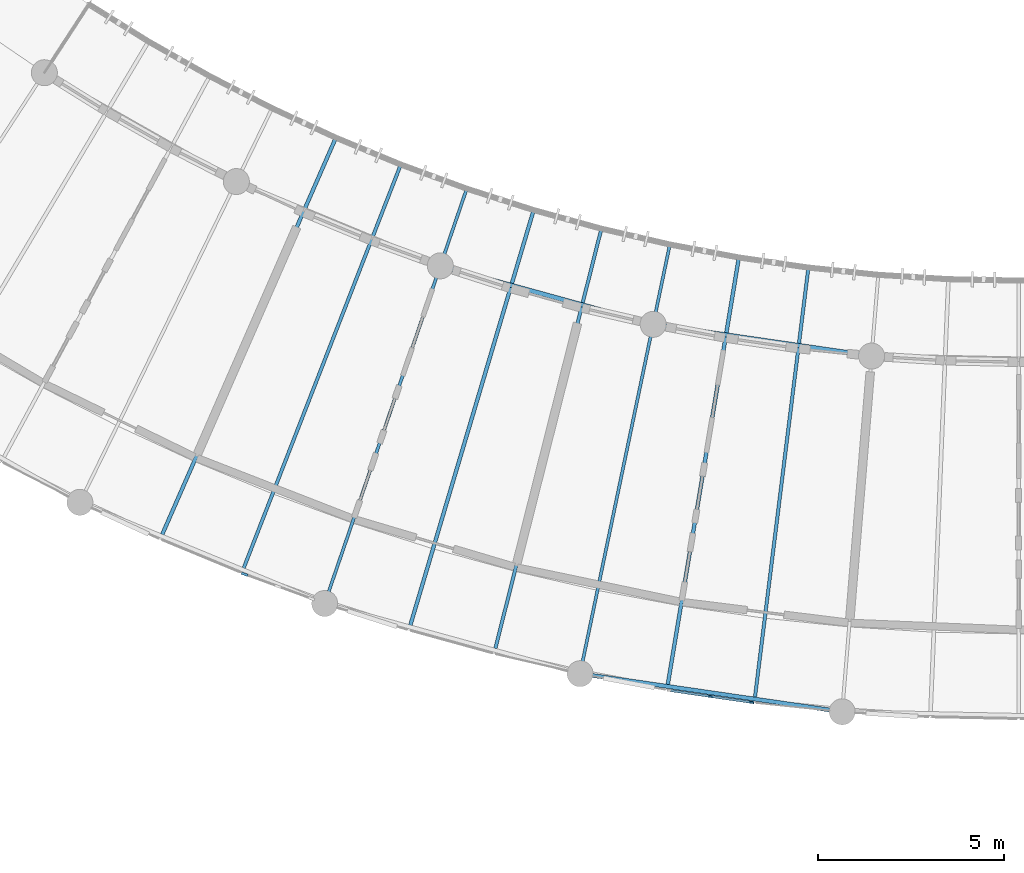
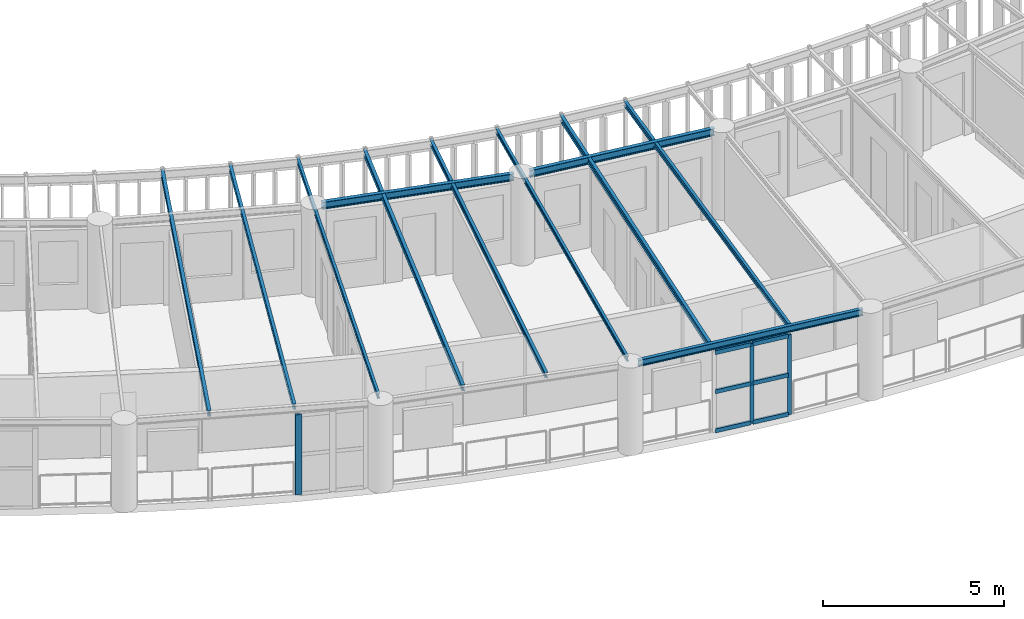
# One storey, part 4 of 100: 11 beams, 9 members, 2 elements without a shape of their own.
"""IFC4 building model written with IfcOpenShell, lengths in metres."""

from ifc_helpers import new_model, si_unit, direction, frame, origin, origin_2d, place, context, subcontext, project, spatial, rectangle, i_section, extrude, material, layer, layer_set, material_profile, profile_set, type_object, element, aggregate, save


model = new_model("IFC4")

# Units and contexts
model_context = context("Model", 3, precision=1e-05, world=origin(), true_north=direction((0.0, 1.0)))
body_context = subcontext(model_context, "Body", "Model", "MODEL_VIEW")
ifc_project = project(units=[si_unit("LENGTHUNIT", "METRE"), si_unit("AREAUNIT", "SQUARE_METRE"), si_unit("VOLUMEUNIT", "CUBIC_METRE"), si_unit("PLANEANGLEUNIT", "RADIAN"), si_unit("MASSUNIT", "GRAM", prefix="KILO"), si_unit("POWERUNIT", "WATT"), si_unit("THERMODYNAMICTEMPERATUREUNIT", "KELVIN")], contexts=[model_context])

# Site, building, storey
site_placement = place(None, origin())
site = spatial("IfcSite", under=ifc_project, at=site_placement, CompositionType="ELEMENT")
building_placement = place(site_placement, origin())
building = spatial("IfcBuilding", under=site, at=building_placement, Name="Ruvembo Vaulted Housing Court", CompositionType="ELEMENT")
storey_placement = place(building_placement, frame((0.0, 0.0, 10.89990234375)))
storey = spatial("IfcBuildingStorey", under=building, at=storey_placement, Name="L03", CompositionType="ELEMENT", Elevation=10.89990234375)

# Beams
ifc_material_1 = material(Name="Steel S355J2", Category="steel")
ifc_material_profile_1 = material_profile(ifc_material_1, i_section(OverallWidth=0.08203125, OverallDepth=0.159912109375, WebThickness=0.0048828125, FlangeThickness=0.00732421875, FilletRadius=0.009033203125, at=origin_2d()), Name="IPE 160")
ifc_profile_set_1 = profile_set([ifc_material_profile_1], Name="Steel S355J2")
beam_type_1 = type_object("IfcBeamType", Name="BM-ST-IPE160", PredefinedType="JOIST", material=ifc_profile_set_1)
for number, where, z_axis, x_axis, name in (
    (1, (50.408203125, 7.72607421875, 2.860107421875), (0.324071094468, 0.946032729735, 0.0), (-0.946032729735, 0.324071094468, 0.0), "Scoop SC2 L03 Radial Steel Joist 6"),
    (2, (57.250244140625, 5.84619140625, 2.860107421875), (0.204819113589, 0.978799842005, 0.0), (-0.978799842005, 0.204819113589, 0.0), "Scoop SC2 L03 Radial Steel Joist 9"),
):
    element("IfcBeam", number, at=place(storey_placement, frame(where, z_axis=z_axis, x_axis=x_axis)), inside=storey, type_object=beam_type_1, Name=name, PredefinedType="JOIST", context=body_context, shape_type="SweptSolid", body=[
        extrude(i_section(OverallWidth=0.08203125, OverallDepth=0.159912109375, WebThickness=0.0048828125, FlangeThickness=0.00732421875, FilletRadius=0.009033203125, at=origin_2d()), origin(), (0.0, 0.0, 1.0), 11.60986328125),
    ])
ifc_material_profile_2 = material_profile(ifc_material_1, i_section(OverallWidth=0.091064453125, OverallDepth=0.179931640625, WebThickness=0.00537109375, FlangeThickness=0.008056640625, FilletRadius=0.009033203125, at=origin_2d()), Name="IPE 180")
ifc_profile_set_2 = profile_set([ifc_material_profile_2], Name="Steel S355J2")
beam_type_2 = type_object("IfcBeamType", Name="BM-ST-IPE180", PredefinedType="JOIST", material=ifc_profile_set_2)
beam_1_placement = place(storey_placement, frame((48.156005859375, 8.46240234375, 2.85009765625), z_axis=(0.362802942669, 0.931865883478, 0.0), x_axis=(-0.931865883478, 0.362802942669, 0.0)))
element("IfcBeam", 3, at=beam_1_placement, inside=storey, type_object=beam_type_2, Name="Scoop SC2 L03 Radial Steel Joist 5", PredefinedType="JOIST", context=body_context, shape_type="SweptSolid", body=[
    extrude(i_section(OverallWidth=0.091064453125, OverallDepth=0.179931640625, WebThickness=0.00537109375, FlangeThickness=0.008056640625, FilletRadius=0.009033203125, at=origin_2d()), origin(), (0.0, 0.0, 1.0), 11.692138671875),
])
beam_2_placement = place(storey_placement, frame((54.92431640625, 6.299072265625, 2.85009765625), z_axis=(0.24500130138, 0.96952274977, 0.0), x_axis=(-0.96952274977, 0.24500130138, 0.0)))
element("IfcBeam", 4, at=beam_2_placement, inside=storey, type_object=beam_type_2, Name="Scoop SC2 L03 Radial Steel Joist 8", PredefinedType="JOIST", context=body_context, shape_type="SweptSolid", body=[
    extrude(i_section(OverallWidth=0.091064453125, OverallDepth=0.179931640625, WebThickness=0.00537109375, FlangeThickness=0.008056640625, FilletRadius=0.009033203125, at=origin_2d()), origin(), (0.0, 0.0, 1.0), 11.69189453125),
])
beam_3_placement = place(storey_placement, frame((61.907958984375, 4.9873046875, 2.85009765625), z_axis=(0.123446200649, 0.992351266208, 0.0), x_axis=(-0.992351266208, 0.123446200649, 0.0)))
element("IfcBeam", 5, at=beam_3_placement, inside=storey, type_object=beam_type_2, Name="Scoop SC2 L03 Radial Steel Joist 11", PredefinedType="JOIST", context=body_context, shape_type="SweptSolid", body=[
    extrude(i_section(OverallWidth=0.091064453125, OverallDepth=0.179931640625, WebThickness=0.00537109375, FlangeThickness=0.008056640625, FilletRadius=0.009033203125, at=origin_2d()), origin(), (0.0, 0.0, 1.0), 11.692138671875),
])
ifc_material_profile_3 = material_profile(ifc_material_1, i_section(OverallWidth=0.10009765625, OverallDepth=0.199951171875, WebThickness=0.005615234375, FlangeThickness=0.008544921875, FilletRadius=0.011962890625, at=origin_2d()), Name="IPE 200")
ifc_profile_set_3 = profile_set([ifc_material_profile_3], Name="Steel S355J2")
beam_type_3 = type_object("IfcBeamType", Name="BM-ST-IPE200", PredefinedType="BEAM", material=ifc_profile_set_3)
beam_4_placement = place(storey_placement, frame((45.9658203125, 9.367919921875, 2.840087890625), z_axis=(0.400923991771, 0.916111321196, 0.0), x_axis=(-0.916111321196, 0.400923991771, 0.0)))
element("IfcBeam", 6, at=beam_4_placement, inside=storey, type_object=beam_type_3, Name="Scoop SC2 L03 Radial Steel Joist 4", PredefinedType="BEAM", context=body_context, shape_type="SweptSolid", body=[
    extrude(i_section(OverallWidth=0.10009765625, OverallDepth=0.199951171875, WebThickness=0.005615234375, FlangeThickness=0.008544921875, FilletRadius=0.011962890625, at=origin_2d()), origin(), (0.0, 0.0, 1.0), 11.691650390625),
])
for number, where, z_axis, x_axis, name in (
    (7, (52.638916015625, 6.9267578125, 2.840087890625), (0.28479137609, 0.958589522217, 0.0), (-0.958589522217, 0.28479137609, 0.0), "Scoop SC2 L03 Radial Steel Joist 7"),
    (8, (59.5625, 5.328369140625, 2.840087890625), (0.164290631564, 0.986411977006, 0.0), (-0.986411977006, 0.164290631564, 0.0), "Scoop SC2 L03 Radial Steel Joist 10"),
):
    element("IfcBeam", number, at=place(storey_placement, frame(where, z_axis=z_axis, x_axis=x_axis)), inside=storey, type_object=beam_type_3, Name=name, PredefinedType="BEAM", context=body_context, shape_type="SweptSolid", body=[
        extrude(i_section(OverallWidth=0.10009765625, OverallDepth=0.199951171875, WebThickness=0.005615234375, FlangeThickness=0.008544921875, FilletRadius=0.011962890625, at=origin_2d()), origin(), (0.0, 0.0, 1.0), 11.692138671875),
    ])
ifc_material_profile_4 = material_profile(ifc_material_1, i_section(OverallWidth=0.110107421875, OverallDepth=0.219970703125, WebThickness=0.005859375, FlangeThickness=0.00927734375, FilletRadius=0.011962890625, at=origin_2d()), Name="IPE 220")
ifc_profile_set_4 = profile_set([ifc_material_profile_4], Name="Steel S355J2")
beam_type_4 = type_object("IfcBeamType", Name="BM-ST-IPE220", PredefinedType="SPANDREL", material=ifc_profile_set_4)
beam_5_placement = place(storey_placement, frame((57.4306640625, 5.587890625, 2.83203125), z_axis=(0.98959175185, -0.143903317091, 0.0), x_axis=(0.143903317091, 0.98959175185, 0.0)))
element("IfcBeam", 9, at=beam_5_placement, inside=storey, type_object=beam_type_4, Name="Scoop SC2 L03 Chord Girder B9", PredefinedType="SPANDREL", context=body_context, shape_type="SweptSolid", body=[
    extrude(i_section(OverallWidth=0.110107421875, OverallDepth=0.219970703125, WebThickness=0.005859375, FlangeThickness=0.00927734375, FilletRadius=0.011962890625, at=origin_2d()), origin(), (0.0, 0.0, 1.0), 6.6640625),
])
ifc_material_profile_5 = material_profile(ifc_material_1, i_section(OverallWidth=0.1201171875, OverallDepth=0.239990234375, WebThickness=0.006103515625, FlangeThickness=0.009765625, FilletRadius=0.014892578125, at=origin_2d()), Name="IPE 240")
ifc_profile_set_5 = profile_set([ifc_material_profile_5], Name="Steel S355J2")
beam_type_5 = type_object("IfcBeamType", Name="BM-ST-IPE240", PredefinedType="BEAM", material=ifc_profile_set_5)
beam_6_placement = place(storey_placement, frame((53.66650390625, 16.529541015625, 2.822021484375), z_axis=(0.964256945688, -0.264968946658, 0.0), x_axis=(0.264968946658, 0.964256945688, 0.0)))
element("IfcBeam", 10, at=beam_6_placement, inside=storey, type_object=beam_type_5, Name="Scoop SC2 L03 Chord Girder F6", PredefinedType="BEAM", context=body_context, shape_type="SweptSolid", body=[
    extrude(i_section(OverallWidth=0.1201171875, OverallDepth=0.239990234375, WebThickness=0.006103515625, FlangeThickness=0.009765625, FilletRadius=0.014892578125, at=origin_2d()), origin(), (0.0, 0.0, 1.0), 5.476806640625),
])
beam_7_placement = place(storey_placement, frame((59.39697265625, 14.984375, 2.822021484375), z_axis=(0.989592441839, -0.143898572109, 0.0), x_axis=(0.143898572109, 0.989592441839, 0.0)))
element("IfcBeam", 11, at=beam_7_placement, inside=storey, type_object=beam_type_5, Name="Scoop SC2 L03 Chord Girder F9", PredefinedType="BEAM", context=body_context, shape_type="SweptSolid", body=[
    extrude(i_section(OverallWidth=0.1201171875, OverallDepth=0.239990234375, WebThickness=0.006103515625, FlangeThickness=0.009765625, FilletRadius=0.014892578125, at=origin_2d()), origin(), (0.0, 0.0, 1.0), 5.4765625),
])

# Curtain wall, members
ifc_material_2 = material(Name="Anodised Aluminium and Solar-Control Glass", Category="aluminium")
ifc_layer_1 = layer(ifc_material_2, 0.139892578125, Name="Anodised Aluminium and Solar-Control Glass")
ifc_layer_set_1 = layer_set([ifc_layer_1], Name="Anodised Aluminium and Solar-Control Glass")
curtain_wall_type_1 = type_object("IfcCurtainWallType", Name="CW-SCOOP-PAN", PredefinedType="NOTDEFINED", material=ifc_layer_set_1)
curtain_wall_1_placement = place(storey_placement, origin())
curtain_wall_1 = element("IfcCurtainWall", 12, at=curtain_wall_1_placement, inside=storey, type_object=curtain_wall_type_1, Name="L03 Curtain Wall CW-L03-0043", PredefinedType="NOTDEFINED")
ifc_material_3 = material(Name="Anodised Aluminium 6063-T6", Category="aluminium")
ifc_material_profile_6 = material_profile(ifc_material_3, rectangle(XDim=0.054931640625, YDim=0.1201171875, at=origin_2d()), Name="ALU 55x120")
ifc_profile_set_6 = profile_set([ifc_material_profile_6], Name="Anodised Aluminium 6063-T6")
member_type_1 = type_object("IfcMemberType", Name="CW-MUL-55x120", PredefinedType="MULLION", material=ifc_profile_set_6)
member_1_placement = place(storey_placement, frame((60.7138671875, 5.011474609375, 0.0), z_axis=(0.0, 0.0, 1.0), x_axis=(0.143850661969, 0.989599407362, 0.0)))
member_1 = element("IfcMember", 13, at=member_1_placement, type_object=member_type_1, Name="CW10 mullion 2", PredefinedType="MULLION", context=body_context, shape_type="SweptSolid", body=[
    extrude(rectangle(XDim=0.054931640625, YDim=0.1201171875, at=origin_2d()), origin(), (0.0, 0.0, 1.0), 2.697998046875),
])
member_2_placement = place(storey_placement, frame((61.81298828125, 4.851806640625, 0.0), z_axis=(0.0, 0.0, 1.0), x_axis=(0.143850661969, 0.989599407362, 0.0)))
member_2 = element("IfcMember", 14, at=member_2_placement, type_object=member_type_1, Name="CW10 mullion 3", PredefinedType="MULLION", context=body_context, shape_type="SweptSolid", body=[
    extrude(rectangle(XDim=0.054931640625, YDim=0.1201171875, at=origin_2d()), origin(), (0.0, 0.0, 1.0), 2.697998046875),
])

# Curtain wall, member
ifc_layer_2 = layer(ifc_material_2, 0.1201171875, Name="Anodised Aluminium and Solar-Control Glass")
ifc_layer_set_2 = layer_set([ifc_layer_2], Name="Anodised Aluminium and Solar-Control Glass")
curtain_wall_type_2 = type_object("IfcCurtainWallType", Name="CW-SCOOP-GAL", PredefinedType="NOTDEFINED", material=ifc_layer_set_2)
curtain_wall_2_placement = place(storey_placement, origin())
curtain_wall_2 = element("IfcCurtainWall", 15, at=curtain_wall_2_placement, inside=storey, type_object=curtain_wall_type_2, Name="L03 Curtain Wall CW-L03-0042", PredefinedType="NOTDEFINED")
ifc_material_profile_7 = material_profile(ifc_material_3, rectangle(XDim=0.06494140625, YDim=0.179931640625, at=origin_2d()), Name="ALU 65x180")
ifc_profile_set_7 = profile_set([ifc_material_profile_7], Name="Anodised Aluminium 6063-T6")
member_type_2 = type_object("IfcMemberType", Name="CW-MUL-65x180", PredefinedType="MULLION", material=ifc_profile_set_7)
member_3_placement = place(storey_placement, frame((48.179931640625, 8.296142578125, 0.0), z_axis=(0.0, 0.0, 1.0), x_axis=(0.343530364672, 0.939141570025, 0.0)))
member_3 = element("IfcMember", 16, at=member_3_placement, type_object=member_type_2, Name="CW6 mullion 1", PredefinedType="MULLION", context=body_context, shape_type="SweptSolid", body=[
    extrude(rectangle(XDim=0.06494140625, YDim=0.179931640625, at=origin_2d()), origin(), (0.0, 0.0, 1.0), 2.697998046875),
])
aggregate(curtain_wall_2, [member_3])

# Member
ifc_material_profile_8 = material_profile(ifc_material_3, rectangle(XDim=0.06494140625, YDim=0.135009765625, at=origin_2d()), Name="ALU 65x135")
ifc_profile_set_8 = profile_set([ifc_material_profile_8], Name="Anodised Aluminium 6063-T6")
member_type_3 = type_object("IfcMemberType", Name="CW-TRN-65x135", PredefinedType="USERDEFINED", material=ifc_profile_set_8)
member_4_placement = place(storey_placement, frame((59.642333984375, 5.167236328125, 0.03271484375), z_axis=(0.9895948248, -0.143882183503, 0.0), x_axis=(0.143882183503, 0.9895948248, 0.0)))
member_4 = element("IfcMember", 17, at=member_4_placement, type_object=member_type_3, Name="CW10 transom 1.1", ObjectType="TRANSOM", PredefinedType="USERDEFINED", context=body_context, shape_type="SweptSolid", body=[
    extrude(rectangle(XDim=0.06494140625, YDim=0.135009765625, at=origin_2d()), origin(), (0.0, 0.0, 1.0), 1.055419921875),
])

member_5_placement = place(storey_placement, frame((59.642333984375, 5.167236328125, 1.34912109375), z_axis=(0.9895948248, -0.143882183503, 0.0), x_axis=(0.143882183503, 0.9895948248, 0.0)))
member_5 = element("IfcMember", 18, at=member_5_placement, type_object=member_type_3, Name="CW10 transom 1.2", ObjectType="TRANSOM", PredefinedType="USERDEFINED", context=body_context, shape_type="SweptSolid", body=[
    extrude(rectangle(XDim=0.06494140625, YDim=0.135009765625, at=origin_2d()), origin(), (0.0, 0.0, 1.0), 1.055419921875),
])

member_6_placement = place(storey_placement, frame((59.642333984375, 5.167236328125, 2.66552734375), z_axis=(0.9895948248, -0.143882183503, 0.0), x_axis=(0.143882183503, 0.9895948248, 0.0)))
member_6 = element("IfcMember", 19, at=member_6_placement, type_object=member_type_3, Name="CW10 transom 1.3", ObjectType="TRANSOM", PredefinedType="USERDEFINED", context=body_context, shape_type="SweptSolid", body=[
    extrude(rectangle(XDim=0.06494140625, YDim=0.135009765625, at=origin_2d()), origin(), (0.0, 0.0, 1.0), 1.055419921875),
])

member_7_placement = place(storey_placement, frame((60.7412109375, 5.007568359375, 0.03271484375), z_axis=(0.9895948248, -0.143882183503, 0.0), x_axis=(0.143882183503, 0.9895948248, 0.0)))
member_7 = element("IfcMember", 20, at=member_7_placement, type_object=member_type_3, Name="CW10 transom 2.1", ObjectType="TRANSOM", PredefinedType="USERDEFINED", context=body_context, shape_type="SweptSolid", body=[
    extrude(rectangle(XDim=0.06494140625, YDim=0.135009765625, at=origin_2d()), origin(), (0.0, 0.0, 1.0), 1.055419921875),
])

member_8_placement = place(storey_placement, frame((60.7412109375, 5.007568359375, 1.34912109375), z_axis=(0.9895948248, -0.143882183503, 0.0), x_axis=(0.143882183503, 0.9895948248, 0.0)))
member_8 = element("IfcMember", 21, at=member_8_placement, type_object=member_type_3, Name="CW10 transom 2.2", ObjectType="TRANSOM", PredefinedType="USERDEFINED", context=body_context, shape_type="SweptSolid", body=[
    extrude(rectangle(XDim=0.06494140625, YDim=0.135009765625, at=origin_2d()), origin(), (0.0, 0.0, 1.0), 1.055419921875),
])

member_9_placement = place(storey_placement, frame((60.7412109375, 5.007568359375, 2.66552734375), z_axis=(0.9895948248, -0.143882183503, 0.0), x_axis=(0.143882183503, 0.9895948248, 0.0)))
member_9 = element("IfcMember", 22, at=member_9_placement, type_object=member_type_3, Name="CW10 transom 2.3", ObjectType="TRANSOM", PredefinedType="USERDEFINED", context=body_context, shape_type="SweptSolid", body=[
    extrude(rectangle(XDim=0.06494140625, YDim=0.135009765625, at=origin_2d()), origin(), (0.0, 0.0, 1.0), 1.055419921875),
])

aggregate(curtain_wall_1, [member_1, member_2, member_4, member_5, member_6, member_7, member_8, member_9])

save(model, "model.ifc")
